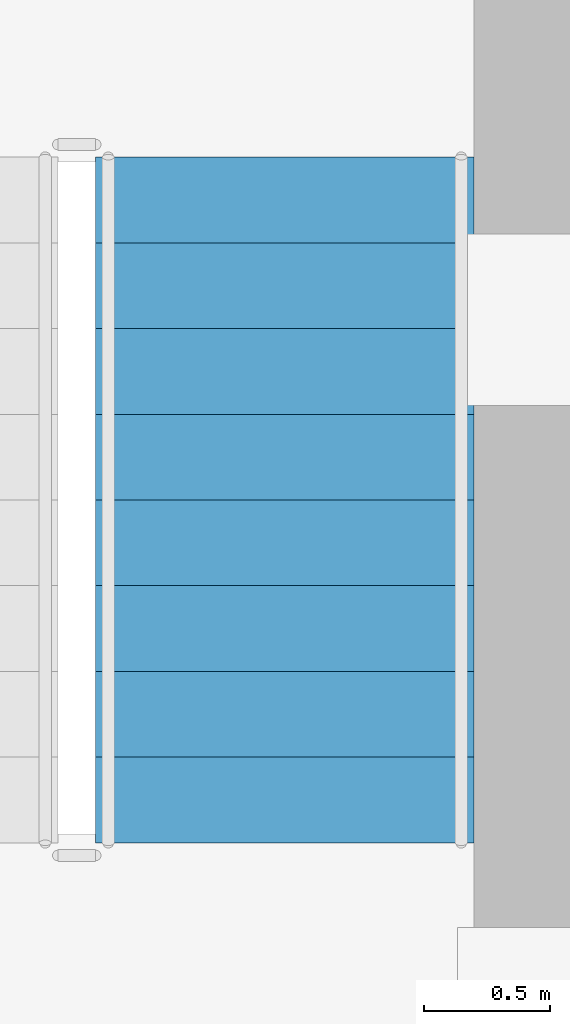
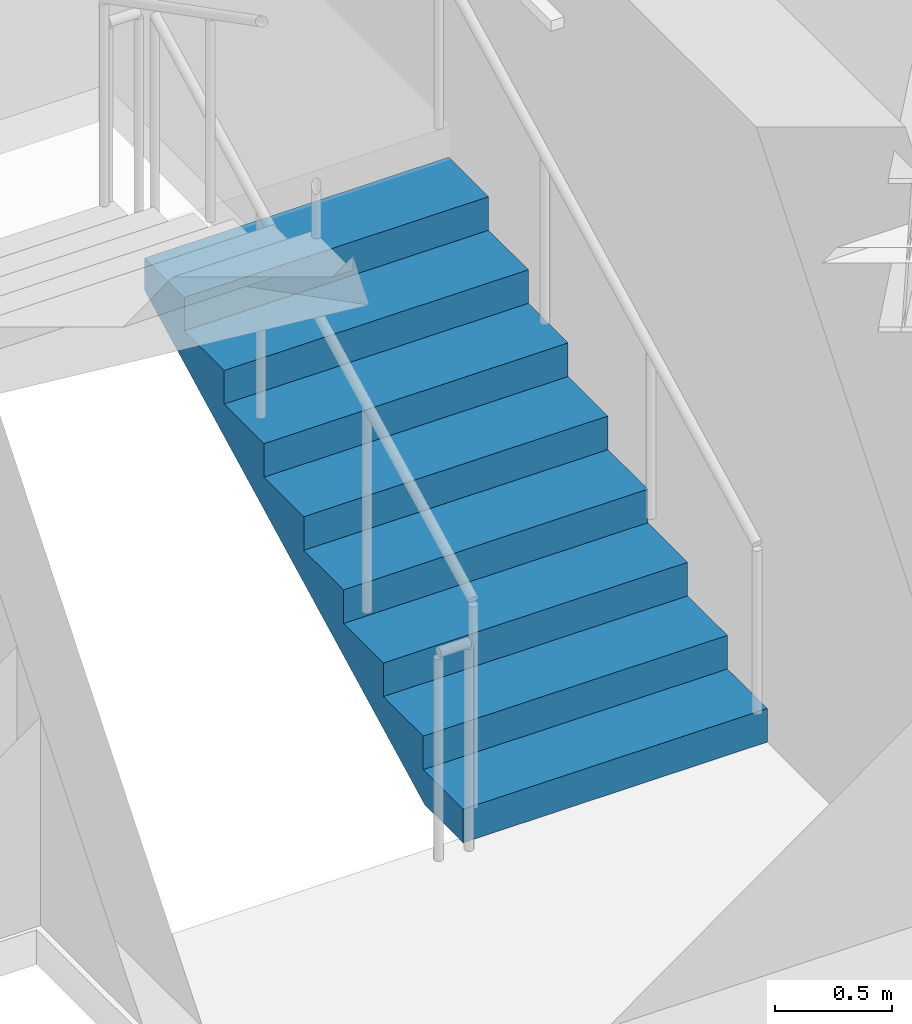
# One storey, part 11 of 14: 1 stair flight, 1 element without a shape of its own.
"""IFC4 building model written with IfcOpenShell, lengths in metres."""

from ifc_helpers import new_model, si_unit, direction, frame, origin, place, context, subcontext, project, spatial, polyline, outline, extrude, material, type_object, element, aggregate, save


model = new_model("IFC4")

# Units and contexts
model_context = context("Model", 3, precision=1e-05, world=origin(), true_north=direction((0.0, 1.0)))
body_context = subcontext(model_context, "Body", "Model", "MODEL_VIEW")
ifc_project = project(units=[si_unit("LENGTHUNIT", "METRE"), si_unit("AREAUNIT", "SQUARE_METRE"), si_unit("VOLUMEUNIT", "CUBIC_METRE"), si_unit("PLANEANGLEUNIT", "RADIAN"), si_unit("MASSUNIT", "GRAM", prefix="KILO")], contexts=[model_context])

# Site, building, storey
site_placement = place(None, origin())
site = spatial("IfcSite", under=ifc_project, at=site_placement, CompositionType="ELEMENT")
building_placement = place(site_placement, origin())
building = spatial("IfcBuilding", under=site, at=building_placement, Name="Keldmark Tower", CompositionType="ELEMENT")
storey_placement = place(building_placement, frame((0.0, 0.0, 213.14990234375)))
storey = spatial("IfcBuildingStorey", under=building, at=storey_placement, Name="L59", CompositionType="ELEMENT", Elevation=213.14990234375)

# Stair, stair flight
ifc_material_1 = material(Name="Concrete C40/50", Category="concrete")
stair_type = type_object("IfcStairType", Name="Precast Concrete Core Exit Stair", PredefinedType="HALF_TURN_STAIR", material=ifc_material_1)
stair_placement = place(storey_placement, origin())
stair = element("IfcStair", 1, at=stair_placement, inside=storey, type_object=stair_type, Name="L59 Exit Stair ST2", PredefinedType="HALF_TURN_STAIR")
ifc_material_2 = material(Name="Concrete C40/50", Category="concrete")
stair_flight_type = type_object("IfcStairFlightType", Name="Precast Concrete Stair Flight 1500 mm", PredefinedType="STRAIGHT", material=ifc_material_2)
stair_flight_placement = place(storey_placement, frame((12.39990234375, 3.35009765625, 0.0), z_axis=(0.0, 0.0, 1.0), x_axis=(0.0, 1.0, 0.0)))
stair_flight = element("IfcStairFlight", 2, at=stair_flight_placement, type_object=stair_flight_type, Name="ST2 flight 1", NumberOfRisers=9, NumberOfTreads=8, PredefinedType="STRAIGHT", RiserHeight=0.175, TreadLength=0.34, context=body_context, shape_type="SweptSolid", body=[
    extrude(outline(polyline([(0.0, 0.0), (0.0, 0.175048828125), (0.340087890625, 0.175048828125), (0.340087890625, 0.35009765625), (0.679931640625, 0.35009765625), (0.679931640625, 0.52490234375), (1.02001953125, 0.52490234375), (1.02001953125, 0.699951171875), (1.360107421875, 0.699951171875), (1.360107421875, 0.875), (1.699951171875, 0.875), (1.699951171875, 1.050048828125), (2.0400390625, 1.050048828125), (2.0400390625, 1.22509765625), (2.3798828125, 1.22509765625), (2.3798828125, 1.39990234375), (2.719970703125, 1.39990234375), (2.719970703125, 1.574951171875), (2.719970703125, 1.2314453125), (0.32763671875, 0.0), (0.0, 0.0)])), frame((0.0, 0.75, 0.0), z_axis=(0.0, -1.0, 0.0), x_axis=(1.0, 0.0, 0.0)), (0.0, 0.0, 1.0), 1.5),
])
aggregate(stair, [stair_flight])

save(model, "model.ifc")
